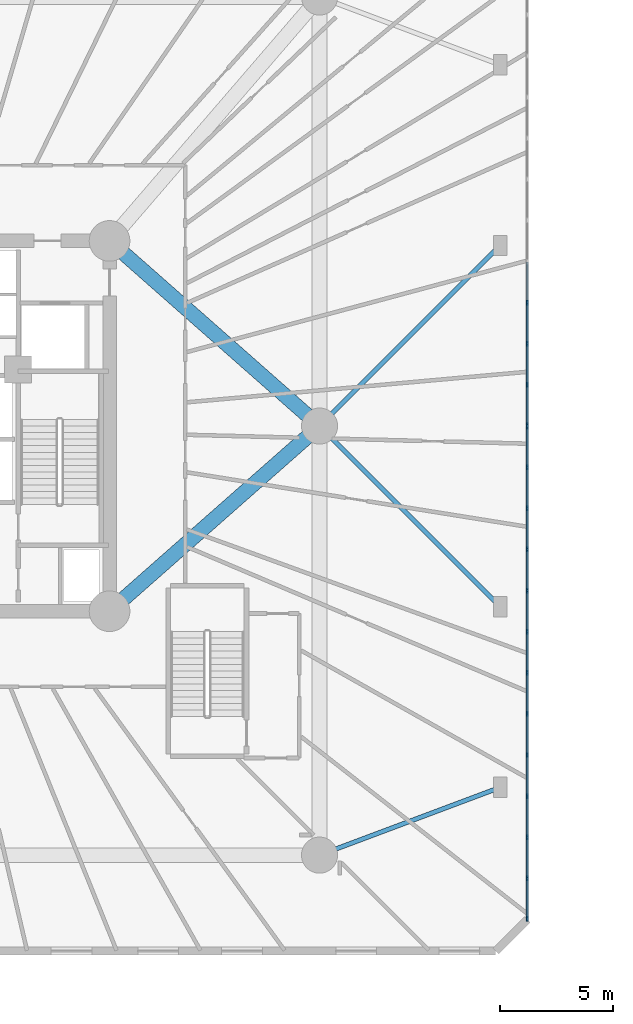
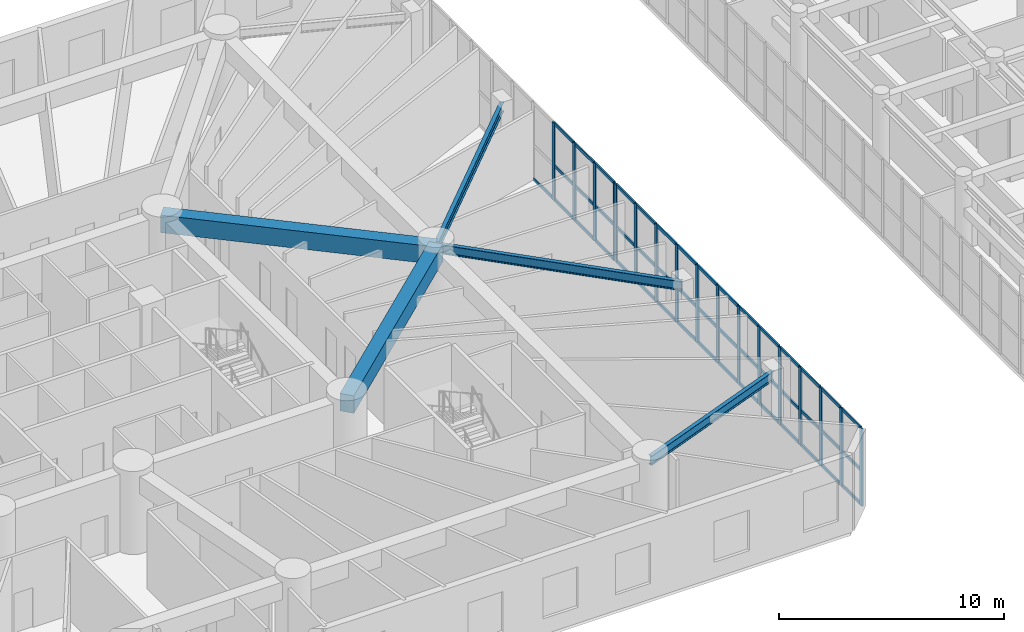
# One storey, part 2 of 26: 63 members, 5 beams, 2 elements without a shape of their own.
"""IFC4 building model written with IfcOpenShell, lengths in metres."""

import ifcopenshell
import ifcopenshell.guid

model = None  # the IFC model being written
_history = None  # IfcOwnerHistory: only IFC2X3 demands one
_inside = {}  # id of a spatial element -> (the spatial element, [elements in it])
_under = {}  # id of a project, library or spatial element -> (it, [spatial elements below it])
_declared = {}  # id of a project -> (the project, [libraries it declares])
_typed = {}  # id of a type object -> (the type object, [elements of that type])
_made_of = {}  # id of a material, layer set ... -> (it, [elements and type objects made of it])


def new_model(schema):
    """Start an empty IFC model of exactly this schema.

    Asked for "IFC4X3", IfcOpenShell would pick the latest addendum, in which some entities
    have other attributes; the version numbers below select the first issue.
    IFC2X3 requires an IfcOwnerHistory on every rooted entity: one is made here for all.
    """
    global model, _history
    if schema == "IFC4X3":
        model = ifcopenshell.file(schema_version=(4, 3, 0, 0))
    else:
        model = ifcopenshell.file(schema=schema)
    _inside.clear()
    _under.clear()
    _declared.clear()
    _typed.clear()
    _made_of.clear()
    _history = None
    if model.schema == "IFC2X3":
        org = make("IfcOrganization", Name="unknown")
        user = make(
            "IfcPersonAndOrganization",
            ThePerson=make("IfcPerson", FamilyName="unknown"),
            TheOrganization=org,
        )
        app = make(
            "IfcApplication",
            ApplicationDeveloper=org,
            Version="unknown",
            ApplicationFullName="unknown",
            ApplicationIdentifier="unknown",
        )
        _history = make(
            "IfcOwnerHistory",
            OwningUser=user,
            OwningApplication=app,
            ChangeAction="ADDED",
            CreationDate=0,
        )
    return model


def make(cls, **values):
    """One entity of the class cls with the attributes given. An attribute that is None is left unset."""
    return model.create_entity(
        cls, **{name: value for name, value in values.items() if value is not None}
    )


def rooted(cls, **values):
    """An entity with a GlobalId (a new one), such as an element, a storey or a relation."""
    return make(cls, GlobalId=ifcopenshell.guid.new(), OwnerHistory=_history, **values)


def si_unit(unit_type, name, prefix=None):
    """IfcSIUnit, for example si_unit("LENGTHUNIT", "METRE", prefix="MILLI")."""
    return make("IfcSIUnit", UnitType=unit_type, Prefix=prefix, Name=name)


def assignment(units):
    """IfcUnitAssignment: the units of a project."""
    return None if units is None else make("IfcUnitAssignment", Units=units)


def point(xyz):
    """IfcCartesianPoint."""
    return None if xyz is None else make("IfcCartesianPoint", Coordinates=xyz)


def direction(xyz):
    """IfcDirection."""
    return None if xyz is None else make("IfcDirection", DirectionRatios=xyz)


def frame(location, z_axis=None, x_axis=None):
    """IfcAxis2Placement3D, a coordinate frame: its origin and axes. An axis left out is left unset."""
    return make(
        "IfcAxis2Placement3D",
        Location=point(location),
        Axis=direction(z_axis),
        RefDirection=direction(x_axis),
    )


def frame_2d(location, x_axis=None):
    """IfcAxis2Placement2D, a coordinate frame in the plane: its origin and x axis."""
    return make(
        "IfcAxis2Placement2D", Location=point(location), RefDirection=direction(x_axis)
    )


def origin():
    """The frame at (0, 0, 0) with its axes left unset."""
    return frame((0.0, 0.0, 0.0))


def origin_with_axes():
    """The frame at (0, 0, 0) with the z axis (0, 0, 1) and the x axis (1, 0, 0) written out."""
    return frame((0.0, 0.0, 0.0), z_axis=(0.0, 0.0, 1.0), x_axis=(1.0, 0.0, 0.0))


def origin_2d():
    """The frame at (0, 0) in the plane with its x axis left unset."""
    return frame_2d((0.0, 0.0))


def place(relative_to, where):
    """IfcLocalPlacement: puts the frame where relative to a parent placement (None: the world)."""
    return make(
        "IfcLocalPlacement", PlacementRelTo=relative_to, RelativePlacement=where
    )


def context(
    kind, dimensions, precision=None, world=None, true_north=None, identifier=None
):
    """IfcGeometricRepresentationContext, for example the 3D "Model" context."""
    return make(
        "IfcGeometricRepresentationContext",
        ContextIdentifier=identifier,
        ContextType=kind,
        CoordinateSpaceDimension=dimensions,
        Precision=precision,
        WorldCoordinateSystem=world,
        TrueNorth=true_north,
    )


def subcontext(parent, identifier, kind, view, scale=None):
    """IfcGeometricRepresentationSubContext, for example "Body" below "Model"."""
    return make(
        "IfcGeometricRepresentationSubContext",
        ContextIdentifier=identifier,
        ContextType=kind,
        ParentContext=parent,
        TargetScale=scale,
        TargetView=view,
    )


def project(units=None, contexts=None):
    """IfcProject with its units and contexts."""
    return rooted(
        "IfcProject",
        Name="project",
        RepresentationContexts=contexts,
        UnitsInContext=assignment(units),
    )


def spatial(cls, under=None, at=None, **own):
    """A site, building, storey or space (cls), placed at a placement, below another one or the project."""
    s = rooted(cls, ObjectPlacement=at, **own)
    if under is not None:
        _under.setdefault(under.id(), (under, []))[1].append(s)
    return s


def profile(cls, at=None, kind="AREA", **sizes):
    """A parametric profile (cls). Its sizes go by their IFC names, for example OverallWidth=200.0."""
    return make(cls, ProfileType=kind, Position=at, **sizes)


def rectangle(**sizes):
    """IfcRectangleProfileDef."""
    return profile("IfcRectangleProfileDef", **sizes)


def i_section(**sizes):
    """IfcIShapeProfileDef."""
    return profile("IfcIShapeProfileDef", **sizes)


def extrude(swept, where, along, depth):
    """IfcExtrudedAreaSolid: the profile swept, set in the frame where, extruded along a direction by depth."""
    return make(
        "IfcExtrudedAreaSolid",
        SweptArea=swept,
        Position=where,
        ExtrudedDirection=direction(along),
        Depth=depth,
    )


def shape(context_of_items, identifier, shape_type, items):
    """IfcShapeRepresentation: the items that make up one representation, for example the "Body"."""
    return make(
        "IfcShapeRepresentation",
        ContextOfItems=context_of_items,
        RepresentationIdentifier=identifier,
        RepresentationType=shape_type,
        Items=items,
    )


def source(mapping_origin, context_of_items, identifier, shape_type, items):
    """IfcRepresentationMap: a shape defined once, which mapped items show again and again."""
    return make(
        "IfcRepresentationMap",
        MappingOrigin=mapping_origin,
        MappedRepresentation=shape(context_of_items, identifier, shape_type, items),
    )


def transform(
    local_origin,
    x_axis=None,
    y_axis=None,
    z_axis=None,
    scale=None,
    scale2=None,
    scale3=None,
    uniform=True,
):
    """IfcCartesianTransformationOperator3D, or its non-uniform kind. x_axis, y_axis, z_axis: its Axis1, 2, 3."""
    if uniform:
        return make(
            "IfcCartesianTransformationOperator3D",
            Axis1=direction(x_axis),
            Axis2=direction(y_axis),
            LocalOrigin=point(local_origin),
            Scale=scale,
            Axis3=direction(z_axis),
        )
    return make(
        "IfcCartesianTransformationOperator3DnonUniform",
        Axis1=direction(x_axis),
        Axis2=direction(y_axis),
        LocalOrigin=point(local_origin),
        Scale=scale,
        Axis3=direction(z_axis),
        Scale2=scale2,
        Scale3=scale3,
    )


def mapped(mapping_source, mapping_target):
    """IfcMappedItem: shows the shape of a source again, moved by a transform."""
    return make(
        "IfcMappedItem", MappingSource=mapping_source, MappingTarget=mapping_target
    )


def material(Name=None, Category=None):
    """IfcMaterial."""
    return make("IfcMaterial", Name=Name, Category=Category)


def layer(
    of_material, thickness, ventilated=None, Name=None, Category=None, Priority=None
):
    """IfcMaterialLayer: one layer of a wall or slab, of a material (None: an air gap)."""
    return make(
        "IfcMaterialLayer",
        Material=of_material,
        LayerThickness=thickness,
        IsVentilated=ventilated,
        Name=Name,
        Category=Category,
        Priority=Priority,
    )


def layer_set(layers, Name=None):
    """IfcMaterialLayerSet."""
    return make("IfcMaterialLayerSet", MaterialLayers=layers, LayerSetName=Name)


def material_profile(
    of_material, cross_section, Name=None, Category=None, Priority=None
):
    """IfcMaterialProfile: a cross section and its material."""
    return make(
        "IfcMaterialProfile",
        Name=Name,
        Material=of_material,
        Profile=cross_section,
        Priority=Priority,
        Category=Category,
    )


def profile_set(profiles, Name=None, composite=None):
    """IfcMaterialProfileSet."""
    return make(
        "IfcMaterialProfileSet",
        Name=Name,
        MaterialProfiles=profiles,
        CompositeProfile=composite,
    )


def made_of(thing, what):
    """Note that an element or type object is made of a material, layer set ...; save() writes the relation."""
    if what is not None:
        _made_of.setdefault(what.id(), (what, []))[1].append(thing)
    return thing


def type_object(cls, material=None, **own):
    """A type object (cls), such as IfcWallType, which elements share."""
    return made_of(rooted(cls, **own), material)


def element(
    cls,
    number,
    at=None,
    inside=None,
    cuts=None,
    type_object=None,
    material=None,
    context=None,
    identifier="Body",
    shape_type=None,
    held_by="IfcProductDefinitionShape",
    body=None,
    shapes=None,
    **own,
):
    """One element of the class cls, such as IfcWall. Its Tag is "e" and its number.

    at: its placement. inside: the storey or other place that contains it. cuts: it is an
    opening in that element (IfcRelVoidsElement). A single representation is given by context,
    identifier, shape_type and body (its items); several are given by shapes. held_by: the class
    of the entity that holds the representations. save() writes the other relations.
    """
    e = rooted(cls, Tag="e%d" % number, ObjectPlacement=at, **own)
    if body is not None:
        shapes = [shape(context, identifier, shape_type, body)]
    if shapes is not None:
        e.Representation = make(held_by, Representations=shapes)
    if inside is not None:
        _inside.setdefault(inside.id(), (inside, []))[1].append(e)
    if cuts is not None:
        rooted(
            "IfcRelVoidsElement", RelatingBuildingElement=cuts, RelatedOpeningElement=e
        )
    if type_object is not None:
        _typed.setdefault(type_object.id(), (type_object, []))[1].append(e)
    return made_of(e, material)


def aggregate(whole, parts):
    """IfcRelAggregates: a whole, such as a stair, and the parts it consists of."""
    return rooted("IfcRelAggregates", RelatingObject=whole, RelatedObjects=parts)


def save(model, path):
    """Write the relations noted so far, then the file.

    IfcRelAggregates (storeys below a building ...), IfcRelContainedInSpatialStructure (elements
    in a storey), IfcRelDefinesByType, IfcRelAssociatesMaterial and IfcRelDeclares: one each for
    every whole, place, type object, material and project.
    """
    for whole, parts in _under.values():
        aggregate(whole, parts)
    for where, things in _inside.values():
        rooted(
            "IfcRelContainedInSpatialStructure",
            RelatedElements=things,
            RelatingStructure=where,
        )
    for kind, things in _typed.values():
        rooted("IfcRelDefinesByType", RelatedObjects=things, RelatingType=kind)
    for what, things in _made_of.values():
        rooted("IfcRelAssociatesMaterial", RelatedObjects=things, RelatingMaterial=what)
    for by, libraries in _declared.values():
        rooted("IfcRelDeclares", RelatingContext=by, RelatedDefinitions=libraries)
    model.write(path)


model = new_model("IFC4")

# Units and contexts
model_context = context("Model", 3, precision=1e-05, world=origin(), true_north=direction((0.0, 1.0)))
body_context = subcontext(model_context, "Body", "Model", "MODEL_VIEW")
ifc_project = project(units=[si_unit("LENGTHUNIT", "METRE"), si_unit("AREAUNIT", "SQUARE_METRE"), si_unit("VOLUMEUNIT", "CUBIC_METRE"), si_unit("PLANEANGLEUNIT", "RADIAN"), si_unit("MASSUNIT", "GRAM", prefix="KILO")], contexts=[model_context])

# Site, building, storey
site_placement = place(None, origin())
site = spatial("IfcSite", under=ifc_project, at=site_placement, CompositionType="ELEMENT")
building_placement = place(site_placement, origin())
building = spatial("IfcBuilding", under=site, at=building_placement, Name="Karkom Vertical University and Central Library", CompositionType="ELEMENT")
storey_placement = place(building_placement, frame((0.0, 0.0, 9.0)))
storey = spatial("IfcBuildingStorey", under=building, at=storey_placement, Name="L02", CompositionType="ELEMENT", Elevation=9.0)

# Beams
ifc_material_1 = material(Name="Concrete C50/60", Category="concrete")
ifc_material_profile_1 = material_profile(ifc_material_1, rectangle(XDim=0.64990234375, YDim=0.949951171875, at=origin_2d()), Name="RCG-650x950")
ifc_profile_set_1 = profile_set([ifc_material_profile_1], Name="Concrete C50/60")
beam_type_1 = type_object("IfcBeamType", Name="STR-BM-BG-1", PredefinedType="USERDEFINED", material=ifc_profile_set_1)
shared_shape_1 = source(origin_with_axes(), body_context, "Body", "SweptSolid", [
    extrude(rectangle(XDim=0.64990234375, YDim=0.949951171875, at=origin_2d()), origin(), (0.0, 0.0, 1.0), 12.398681640625),
])
for number, where, z_axis, x_axis, name in (
    (1, (46.800048828125, 26.5, 3.72509765625), (-0.75007685274, -0.661350674743, 0.0), (0.661350674743, -0.75007685274, 0.0), "Level 02 Podium Primary Girder 17"),
    (2, (46.800048828125, 26.5, 3.72509765625), (-0.75007685274, 0.661350674743, 0.0), (-0.661350674743, -0.75007685274, 0.0), "Level 02 Podium Primary Girder 18"),
):
    element("IfcBeam", number, at=place(storey_placement, frame(where, z_axis=z_axis, x_axis=x_axis)), inside=storey, type_object=beam_type_1, Name=name, ObjectType="GIRDER", PredefinedType="USERDEFINED", context=body_context, shape_type="MappedRepresentation", body=[
        mapped(shared_shape_1, transform((0.0, 0.0, 0.0), scale=1.0)),
    ])
ifc_material_2 = material(Name="Steel S355", Category="steel")
ifc_material_profile_2 = material_profile(ifc_material_2, i_section(OverallWidth=0.199951171875, OverallDepth=0.5, WebThickness=0.01025390625, FlangeThickness=0.01611328125, FilletRadius=0.02099609375, at=origin_2d()), Name="IPE 500")
ifc_profile_set_2 = profile_set([ifc_material_profile_2], Name="Steel S355")
beam_type_2 = type_object("IfcBeamType", Name="STR-BM-SB-IPE500", PredefinedType="BEAM", material=ifc_profile_set_2)
shared_shape_2 = source(origin_with_axes(), body_context, "Body", "SweptSolid", [
    extrude(i_section(OverallWidth=0.199951171875, OverallDepth=0.5, WebThickness=0.01025390625, FlangeThickness=0.01611328125, FilletRadius=0.02099609375, at=origin_2d()), origin(), (0.0, 0.0, 1.0), 8.5439453125),
])
beam_placement = place(storey_placement, frame((46.800048828125, 7.5, 3.949951171875), z_axis=(0.936329177569, 0.351123441588, 0.0), x_axis=(-0.351123441588, 0.936329177569, 0.0)))
element("IfcBeam", 3, at=beam_placement, inside=storey, type_object=beam_type_2, Name="Level 02 Arcade Tie Beam 1", PredefinedType="BEAM", context=body_context, shape_type="MappedRepresentation", body=[
    mapped(shared_shape_2, transform((0.0, 0.0, 0.0), scale=1.0)),
])
shared_shape_3 = source(origin_with_axes(), body_context, "Body", "SweptSolid", [
    extrude(i_section(OverallWidth=0.199951171875, OverallDepth=0.5, WebThickness=0.01025390625, FlangeThickness=0.01611328125, FilletRadius=0.02099609375, at=origin_2d()), origin(), (0.0, 0.0, 1.0), 11.313720703125),
])
for number, where, z_axis, x_axis, name in (
    (4, (46.800048828125, 26.5, 3.949951171875), (0.707106781187, -0.707106781187, 0.0), (0.707106781187, 0.707106781187, 0.0), "Level 02 Arcade Tie Beam 2"),
    (5, (46.800048828125, 26.5, 3.949951171875), (0.707106781187, 0.707106781187, 0.0), (-0.707106781187, 0.707106781187, 0.0), "Level 02 Arcade Tie Beam 3"),
):
    element("IfcBeam", number, at=place(storey_placement, frame(where, z_axis=z_axis, x_axis=x_axis)), inside=storey, type_object=beam_type_2, Name=name, PredefinedType="BEAM", context=body_context, shape_type="MappedRepresentation", body=[
        mapped(shared_shape_3, transform((0.0, 0.0, 0.0), scale=1.0)),
    ])

# Curtain wall, members
ifc_material_3 = material(Name="Aluminium curtain-wall framing and low-E IGU", Category="aluminium")
ifc_layer = layer(ifc_material_3, 0.199951171875)
ifc_layer_set = layer_set([ifc_layer], Name="Aluminium curtain-wall framing and low-E IGU")
curtain_wall_type = type_object("IfcCurtainWallType", Name="ENV-CW-3", PredefinedType="USERDEFINED", material=ifc_layer_set)
curtain_wall_1_placement = place(storey_placement, origin())
curtain_wall_1 = element("IfcCurtainWall", 6, at=curtain_wall_1_placement, inside=storey, type_object=curtain_wall_type, Name="Level 02 CW-3 Curtain Wall Level 02-CW3-3-1", ObjectType="STICK MULLION GLAZING", PredefinedType="USERDEFINED")
ifc_material_4 = material(Name="Anodised Aluminium 6063-T6", Category="aluminium")
ifc_material_profile_3 = material_profile(ifc_material_4, rectangle(XDim=0.074951171875, YDim=0.219970703125, at=origin_2d()), Name="ALU-M75x220")
ifc_profile_set_3 = profile_set([ifc_material_profile_3], Name="Anodised Aluminium 6063-T6")
member_type_1 = type_object("IfcMemberType", Name="ENV-MEM-ALU-M75x220", PredefinedType="MULLION", material=ifc_profile_set_3)
shared_shape_4 = source(origin_with_axes(), body_context, "Body", "SweptSolid", [
    extrude(rectangle(XDim=0.074951171875, YDim=0.219970703125, at=origin_2d()), origin(), (0.0, 0.0, 1.0), 4.199951171875),
])
member_1_placement = place(storey_placement, frame((56.0, 4.6875, 0.0), z_axis=(0.0, 0.0, 1.0), x_axis=(-1.0, 0.0, 0.0)))
member_1 = element("IfcMember", 7, at=member_1_placement, type_object=member_type_1, Name="CW-3 mullion 1", PredefinedType="MULLION", context=body_context, shape_type="MappedRepresentation", body=[
    mapped(shared_shape_4, transform((0.0, 0.0, 0.0), scale=1.0)),
])
member_2_placement = place(storey_placement, frame((56.0, 6.470947265625, 0.0), z_axis=(0.0, 0.0, 1.0), x_axis=(-1.0, 0.0, 0.0)))
member_2 = element("IfcMember", 8, at=member_2_placement, type_object=member_type_1, Name="CW-3 mullion 2", PredefinedType="MULLION", context=body_context, shape_type="MappedRepresentation", body=[
    mapped(shared_shape_4, transform((0.0, 0.0, 0.0), scale=1.0)),
])
member_3_placement = place(storey_placement, frame((56.0, 8.291748046875, 0.0), z_axis=(0.0, 0.0, 1.0), x_axis=(-1.0, 0.0, 0.0)))
member_3 = element("IfcMember", 9, at=member_3_placement, type_object=member_type_1, Name="CW-3 mullion 3", PredefinedType="MULLION", context=body_context, shape_type="MappedRepresentation", body=[
    mapped(shared_shape_4, transform((0.0, 0.0, 0.0), scale=1.0)),
])
member_4_placement = place(storey_placement, frame((56.0, 10.112548828125, 0.0), z_axis=(0.0, 0.0, 1.0), x_axis=(-1.0, 0.0, 0.0)))
member_4 = element("IfcMember", 10, at=member_4_placement, type_object=member_type_1, Name="CW-3 mullion 4", PredefinedType="MULLION", context=body_context, shape_type="MappedRepresentation", body=[
    mapped(shared_shape_4, transform((0.0, 0.0, 0.0), scale=1.0)),
])
member_5_placement = place(storey_placement, frame((56.0, 11.933349609375, 0.0), z_axis=(0.0, 0.0, 1.0), x_axis=(-1.0, 0.0, 0.0)))
member_5 = element("IfcMember", 11, at=member_5_placement, type_object=member_type_1, Name="CW-3 mullion 5", PredefinedType="MULLION", context=body_context, shape_type="MappedRepresentation", body=[
    mapped(shared_shape_4, transform((0.0, 0.0, 0.0), scale=1.0)),
])
member_6_placement = place(storey_placement, frame((56.0, 13.754150390625, 0.0), z_axis=(0.0, 0.0, 1.0), x_axis=(-1.0, 0.0, 0.0)))
member_6 = element("IfcMember", 12, at=member_6_placement, type_object=member_type_1, Name="CW-3 mullion 6", PredefinedType="MULLION", context=body_context, shape_type="MappedRepresentation", body=[
    mapped(shared_shape_4, transform((0.0, 0.0, 0.0), scale=1.0)),
])
member_7_placement = place(storey_placement, frame((56.0, 15.574951171875, 0.0), z_axis=(0.0, 0.0, 1.0), x_axis=(-1.0, 0.0, 0.0)))
member_7 = element("IfcMember", 13, at=member_7_placement, type_object=member_type_1, Name="CW-3 mullion 7", PredefinedType="MULLION", context=body_context, shape_type="MappedRepresentation", body=[
    mapped(shared_shape_4, transform((0.0, 0.0, 0.0), scale=1.0)),
])
member_8_placement = place(storey_placement, frame((56.0, 17.395751953125, 0.0), z_axis=(0.0, 0.0, 1.0), x_axis=(-1.0, 0.0, 0.0)))
member_8 = element("IfcMember", 14, at=member_8_placement, type_object=member_type_1, Name="CW-3 mullion 8", PredefinedType="MULLION", context=body_context, shape_type="MappedRepresentation", body=[
    mapped(shared_shape_4, transform((0.0, 0.0, 0.0), scale=1.0)),
])
member_9_placement = place(storey_placement, frame((56.0, 19.216552734375, 0.0), z_axis=(0.0, 0.0, 1.0), x_axis=(-1.0, 0.0, 0.0)))
member_9 = element("IfcMember", 15, at=member_9_placement, type_object=member_type_1, Name="CW-3 mullion 9", PredefinedType="MULLION", context=body_context, shape_type="MappedRepresentation", body=[
    mapped(shared_shape_4, transform((0.0, 0.0, 0.0), scale=1.0)),
])
member_10_placement = place(storey_placement, frame((56.0, 21.03759765625, 0.0), z_axis=(0.0, 0.0, 1.0), x_axis=(-1.0, 0.0, 0.0)))
member_10 = element("IfcMember", 16, at=member_10_placement, type_object=member_type_1, Name="CW-3 mullion 10", PredefinedType="MULLION", context=body_context, shape_type="MappedRepresentation", body=[
    mapped(shared_shape_4, transform((0.0, 0.0, 0.0), scale=1.0)),
])
member_11_placement = place(storey_placement, frame((56.0, 22.8583984375, 0.0), z_axis=(0.0, 0.0, 1.0), x_axis=(-1.0, 0.0, 0.0)))
member_11 = element("IfcMember", 17, at=member_11_placement, type_object=member_type_1, Name="CW-3 mullion 11", PredefinedType="MULLION", context=body_context, shape_type="MappedRepresentation", body=[
    mapped(shared_shape_4, transform((0.0, 0.0, 0.0), scale=1.0)),
])
member_12_placement = place(storey_placement, frame((56.0, 24.67919921875, 0.0), z_axis=(0.0, 0.0, 1.0), x_axis=(-1.0, 0.0, 0.0)))
member_12 = element("IfcMember", 18, at=member_12_placement, type_object=member_type_1, Name="CW-3 mullion 12", PredefinedType="MULLION", context=body_context, shape_type="MappedRepresentation", body=[
    mapped(shared_shape_4, transform((0.0, 0.0, 0.0), scale=1.0)),
])
member_13_placement = place(storey_placement, frame((56.0, 26.46240234375, 0.0), z_axis=(0.0, 0.0, 1.0), x_axis=(-1.0, 0.0, 0.0)))
member_13 = element("IfcMember", 19, at=member_13_placement, type_object=member_type_1, Name="CW-3 mullion 13", PredefinedType="MULLION", context=body_context, shape_type="MappedRepresentation", body=[
    mapped(shared_shape_4, transform((0.0, 0.0, 0.0), scale=1.0)),
])

curtain_wall_2_placement = place(storey_placement, origin())
curtain_wall_2 = element("IfcCurtainWall", 20, at=curtain_wall_2_placement, inside=storey, type_object=curtain_wall_type, Name="Level 02 CW-3 Curtain Wall Level 02-CW3-3-2", ObjectType="STICK MULLION GLAZING", PredefinedType="USERDEFINED")
member_14_placement = place(storey_placement, frame((56.0, 26.53759765625, 0.0), z_axis=(0.0, 0.0, 1.0), x_axis=(-1.0, 0.0, 0.0)))
member_14 = element("IfcMember", 21, at=member_14_placement, type_object=member_type_1, Name="CW-3 mullion 1", PredefinedType="MULLION", context=body_context, shape_type="MappedRepresentation", body=[
    mapped(shared_shape_4, transform((0.0, 0.0, 0.0), scale=1.0)),
])
member_15_placement = place(storey_placement, frame((56.0, 28.32080078125, 0.0), z_axis=(0.0, 0.0, 1.0), x_axis=(-1.0, 0.0, 0.0)))
member_15 = element("IfcMember", 22, at=member_15_placement, type_object=member_type_1, Name="CW-3 mullion 2", PredefinedType="MULLION", context=body_context, shape_type="MappedRepresentation", body=[
    mapped(shared_shape_4, transform((0.0, 0.0, 0.0), scale=1.0)),
])
member_16_placement = place(storey_placement, frame((56.0, 30.1416015625, 0.0), z_axis=(0.0, 0.0, 1.0), x_axis=(-1.0, 0.0, 0.0)))
member_16 = element("IfcMember", 23, at=member_16_placement, type_object=member_type_1, Name="CW-3 mullion 3", PredefinedType="MULLION", context=body_context, shape_type="MappedRepresentation", body=[
    mapped(shared_shape_4, transform((0.0, 0.0, 0.0), scale=1.0)),
])
member_17_placement = place(storey_placement, frame((56.0, 31.96240234375, 0.0), z_axis=(0.0, 0.0, 1.0), x_axis=(-1.0, 0.0, 0.0)))
member_17 = element("IfcMember", 24, at=member_17_placement, type_object=member_type_1, Name="CW-3 mullion 4", PredefinedType="MULLION", context=body_context, shape_type="MappedRepresentation", body=[
    mapped(shared_shape_4, transform((0.0, 0.0, 0.0), scale=1.0)),
])

# Member
ifc_material_profile_4 = material_profile(ifc_material_4, rectangle(XDim=0.074951171875, YDim=0.1650390625, at=origin_2d()), Name="ALU-T75x165")
ifc_profile_set_4 = profile_set([ifc_material_profile_4], Name="Anodised Aluminium 6063-T6")
member_type_2 = type_object("IfcMemberType", Name="ENV-MEM-ALU-T75x165", PredefinedType="USERDEFINED", material=ifc_profile_set_4)
shared_shape_5 = source(origin_with_axes(), body_context, "Body", "SweptSolid", [
    extrude(rectangle(XDim=0.074951171875, YDim=0.1650390625, at=origin_2d()), origin(), (0.0, 0.0, 1.0), 1.708251953125),
])
member_18_placement = place(storey_placement, frame((56.0, 4.72509765625, 0.03759765625), z_axis=(0.0, 1.0, 0.0), x_axis=(-1.0, 0.0, 0.0)))
member_18 = element("IfcMember", 25, at=member_18_placement, type_object=member_type_2, Name="CW-3 transom 1.1", ObjectType="TRANSOM", PredefinedType="USERDEFINED", context=body_context, shape_type="MappedRepresentation", body=[
    mapped(shared_shape_5, transform((0.0, 0.0, 0.0), scale=1.0)),
])

member_19_placement = place(storey_placement, frame((56.0, 4.72509765625, 1.889892578125), z_axis=(0.0, 1.0, 0.0), x_axis=(-1.0, 0.0, 0.0)))
member_19 = element("IfcMember", 26, at=member_19_placement, type_object=member_type_2, Name="CW-3 transom 1.2", ObjectType="TRANSOM", PredefinedType="USERDEFINED", context=body_context, shape_type="MappedRepresentation", body=[
    mapped(shared_shape_5, transform((0.0, 0.0, 0.0), scale=1.0)),
])

member_20_placement = place(storey_placement, frame((56.0, 4.72509765625, 4.16259765625), z_axis=(0.0, 1.0, 0.0), x_axis=(-1.0, 0.0, 0.0)))
member_20 = element("IfcMember", 27, at=member_20_placement, type_object=member_type_2, Name="CW-3 transom 1.3", ObjectType="TRANSOM", PredefinedType="USERDEFINED", context=body_context, shape_type="MappedRepresentation", body=[
    mapped(shared_shape_5, transform((0.0, 0.0, 0.0), scale=1.0)),
])

shared_shape_6 = source(origin_with_axes(), body_context, "Body", "SweptSolid", [
    extrude(rectangle(XDim=0.074951171875, YDim=0.1650390625, at=origin_2d()), origin(), (0.0, 0.0, 1.0), 1.745849609375),
])
member_21_placement = place(storey_placement, frame((56.0, 6.50830078125, 0.03759765625), z_axis=(0.0, 1.0, 0.0), x_axis=(-1.0, 0.0, 0.0)))
member_21 = element("IfcMember", 28, at=member_21_placement, type_object=member_type_2, Name="CW-3 transom 2.1", ObjectType="TRANSOM", PredefinedType="USERDEFINED", context=body_context, shape_type="MappedRepresentation", body=[
    mapped(shared_shape_6, transform((0.0, 0.0, 0.0), scale=1.0)),
])

member_22_placement = place(storey_placement, frame((56.0, 6.50830078125, 1.889892578125), z_axis=(0.0, 1.0, 0.0), x_axis=(-1.0, 0.0, 0.0)))
member_22 = element("IfcMember", 29, at=member_22_placement, type_object=member_type_2, Name="CW-3 transom 2.2", ObjectType="TRANSOM", PredefinedType="USERDEFINED", context=body_context, shape_type="MappedRepresentation", body=[
    mapped(shared_shape_6, transform((0.0, 0.0, 0.0), scale=1.0)),
])

member_23_placement = place(storey_placement, frame((56.0, 6.50830078125, 4.16259765625), z_axis=(0.0, 1.0, 0.0), x_axis=(-1.0, 0.0, 0.0)))
member_23 = element("IfcMember", 30, at=member_23_placement, type_object=member_type_2, Name="CW-3 transom 2.3", ObjectType="TRANSOM", PredefinedType="USERDEFINED", context=body_context, shape_type="MappedRepresentation", body=[
    mapped(shared_shape_6, transform((0.0, 0.0, 0.0), scale=1.0)),
])

member_24_placement = place(storey_placement, frame((56.0, 8.3291015625, 0.03759765625), z_axis=(0.0, 1.0, 0.0), x_axis=(-1.0, 0.0, 0.0)))
member_24 = element("IfcMember", 31, at=member_24_placement, type_object=member_type_2, Name="CW-3 transom 3.1", ObjectType="TRANSOM", PredefinedType="USERDEFINED", context=body_context, shape_type="MappedRepresentation", body=[
    mapped(shared_shape_6, transform((0.0, 0.0, 0.0), scale=1.0)),
])

member_25_placement = place(storey_placement, frame((56.0, 8.3291015625, 1.889892578125), z_axis=(0.0, 1.0, 0.0), x_axis=(-1.0, 0.0, 0.0)))
member_25 = element("IfcMember", 32, at=member_25_placement, type_object=member_type_2, Name="CW-3 transom 3.2", ObjectType="TRANSOM", PredefinedType="USERDEFINED", context=body_context, shape_type="MappedRepresentation", body=[
    mapped(shared_shape_6, transform((0.0, 0.0, 0.0), scale=1.0)),
])

member_26_placement = place(storey_placement, frame((56.0, 8.3291015625, 4.16259765625), z_axis=(0.0, 1.0, 0.0), x_axis=(-1.0, 0.0, 0.0)))
member_26 = element("IfcMember", 33, at=member_26_placement, type_object=member_type_2, Name="CW-3 transom 3.3", ObjectType="TRANSOM", PredefinedType="USERDEFINED", context=body_context, shape_type="MappedRepresentation", body=[
    mapped(shared_shape_6, transform((0.0, 0.0, 0.0), scale=1.0)),
])

member_27_placement = place(storey_placement, frame((56.0, 10.14990234375, 0.03759765625), z_axis=(0.0, 1.0, 0.0), x_axis=(-1.0, 0.0, 0.0)))
member_27 = element("IfcMember", 34, at=member_27_placement, type_object=member_type_2, Name="CW-3 transom 4.1", ObjectType="TRANSOM", PredefinedType="USERDEFINED", context=body_context, shape_type="MappedRepresentation", body=[
    mapped(shared_shape_6, transform((0.0, 0.0, 0.0), scale=1.0)),
])

member_28_placement = place(storey_placement, frame((56.0, 10.14990234375, 1.889892578125), z_axis=(0.0, 1.0, 0.0), x_axis=(-1.0, 0.0, 0.0)))
member_28 = element("IfcMember", 35, at=member_28_placement, type_object=member_type_2, Name="CW-3 transom 4.2", ObjectType="TRANSOM", PredefinedType="USERDEFINED", context=body_context, shape_type="MappedRepresentation", body=[
    mapped(shared_shape_6, transform((0.0, 0.0, 0.0), scale=1.0)),
])

member_29_placement = place(storey_placement, frame((56.0, 10.14990234375, 4.16259765625), z_axis=(0.0, 1.0, 0.0), x_axis=(-1.0, 0.0, 0.0)))
member_29 = element("IfcMember", 36, at=member_29_placement, type_object=member_type_2, Name="CW-3 transom 4.3", ObjectType="TRANSOM", PredefinedType="USERDEFINED", context=body_context, shape_type="MappedRepresentation", body=[
    mapped(shared_shape_6, transform((0.0, 0.0, 0.0), scale=1.0)),
])

member_30_placement = place(storey_placement, frame((56.0, 13.791748046875, 0.03759765625), z_axis=(0.0, 1.0, 0.0), x_axis=(-1.0, 0.0, 0.0)))
member_30 = element("IfcMember", 37, at=member_30_placement, type_object=member_type_2, Name="CW-3 transom 6.1", ObjectType="TRANSOM", PredefinedType="USERDEFINED", context=body_context, shape_type="MappedRepresentation", body=[
    mapped(shared_shape_6, transform((0.0, 0.0, 0.0), scale=1.0)),
])

member_31_placement = place(storey_placement, frame((56.0, 13.791748046875, 1.889892578125), z_axis=(0.0, 1.0, 0.0), x_axis=(-1.0, 0.0, 0.0)))
member_31 = element("IfcMember", 38, at=member_31_placement, type_object=member_type_2, Name="CW-3 transom 6.2", ObjectType="TRANSOM", PredefinedType="USERDEFINED", context=body_context, shape_type="MappedRepresentation", body=[
    mapped(shared_shape_6, transform((0.0, 0.0, 0.0), scale=1.0)),
])

member_32_placement = place(storey_placement, frame((56.0, 13.791748046875, 4.16259765625), z_axis=(0.0, 1.0, 0.0), x_axis=(-1.0, 0.0, 0.0)))
member_32 = element("IfcMember", 39, at=member_32_placement, type_object=member_type_2, Name="CW-3 transom 6.3", ObjectType="TRANSOM", PredefinedType="USERDEFINED", context=body_context, shape_type="MappedRepresentation", body=[
    mapped(shared_shape_6, transform((0.0, 0.0, 0.0), scale=1.0)),
])

member_33_placement = place(storey_placement, frame((56.0, 15.612548828125, 0.03759765625), z_axis=(0.0, 1.0, 0.0), x_axis=(-1.0, 0.0, 0.0)))
member_33 = element("IfcMember", 40, at=member_33_placement, type_object=member_type_2, Name="CW-3 transom 7.1", ObjectType="TRANSOM", PredefinedType="USERDEFINED", context=body_context, shape_type="MappedRepresentation", body=[
    mapped(shared_shape_6, transform((0.0, 0.0, 0.0), scale=1.0)),
])

member_34_placement = place(storey_placement, frame((56.0, 15.612548828125, 1.889892578125), z_axis=(0.0, 1.0, 0.0), x_axis=(-1.0, 0.0, 0.0)))
member_34 = element("IfcMember", 41, at=member_34_placement, type_object=member_type_2, Name="CW-3 transom 7.2", ObjectType="TRANSOM", PredefinedType="USERDEFINED", context=body_context, shape_type="MappedRepresentation", body=[
    mapped(shared_shape_6, transform((0.0, 0.0, 0.0), scale=1.0)),
])

member_35_placement = place(storey_placement, frame((56.0, 15.612548828125, 4.16259765625), z_axis=(0.0, 1.0, 0.0), x_axis=(-1.0, 0.0, 0.0)))
member_35 = element("IfcMember", 42, at=member_35_placement, type_object=member_type_2, Name="CW-3 transom 7.3", ObjectType="TRANSOM", PredefinedType="USERDEFINED", context=body_context, shape_type="MappedRepresentation", body=[
    mapped(shared_shape_6, transform((0.0, 0.0, 0.0), scale=1.0)),
])

member_36_placement = place(storey_placement, frame((56.0, 17.433349609375, 0.03759765625), z_axis=(0.0, 1.0, 0.0), x_axis=(-1.0, 0.0, 0.0)))
member_36 = element("IfcMember", 43, at=member_36_placement, type_object=member_type_2, Name="CW-3 transom 8.1", ObjectType="TRANSOM", PredefinedType="USERDEFINED", context=body_context, shape_type="MappedRepresentation", body=[
    mapped(shared_shape_6, transform((0.0, 0.0, 0.0), scale=1.0)),
])

member_37_placement = place(storey_placement, frame((56.0, 17.433349609375, 1.889892578125), z_axis=(0.0, 1.0, 0.0), x_axis=(-1.0, 0.0, 0.0)))
member_37 = element("IfcMember", 44, at=member_37_placement, type_object=member_type_2, Name="CW-3 transom 8.2", ObjectType="TRANSOM", PredefinedType="USERDEFINED", context=body_context, shape_type="MappedRepresentation", body=[
    mapped(shared_shape_6, transform((0.0, 0.0, 0.0), scale=1.0)),
])

member_38_placement = place(storey_placement, frame((56.0, 17.433349609375, 4.16259765625), z_axis=(0.0, 1.0, 0.0), x_axis=(-1.0, 0.0, 0.0)))
member_38 = element("IfcMember", 45, at=member_38_placement, type_object=member_type_2, Name="CW-3 transom 8.3", ObjectType="TRANSOM", PredefinedType="USERDEFINED", context=body_context, shape_type="MappedRepresentation", body=[
    mapped(shared_shape_6, transform((0.0, 0.0, 0.0), scale=1.0)),
])

member_39_placement = place(storey_placement, frame((56.0, 19.254150390625, 0.03759765625), z_axis=(0.0, 1.0, 0.0), x_axis=(-1.0, 0.0, 0.0)))
member_39 = element("IfcMember", 46, at=member_39_placement, type_object=member_type_2, Name="CW-3 transom 9.1", ObjectType="TRANSOM", PredefinedType="USERDEFINED", context=body_context, shape_type="MappedRepresentation", body=[
    mapped(shared_shape_6, transform((0.0, 0.0, 0.0), scale=1.0)),
])

member_40_placement = place(storey_placement, frame((56.0, 19.254150390625, 1.889892578125), z_axis=(0.0, 1.0, 0.0), x_axis=(-1.0, 0.0, 0.0)))
member_40 = element("IfcMember", 47, at=member_40_placement, type_object=member_type_2, Name="CW-3 transom 9.2", ObjectType="TRANSOM", PredefinedType="USERDEFINED", context=body_context, shape_type="MappedRepresentation", body=[
    mapped(shared_shape_6, transform((0.0, 0.0, 0.0), scale=1.0)),
])

member_41_placement = place(storey_placement, frame((56.0, 19.254150390625, 4.16259765625), z_axis=(0.0, 1.0, 0.0), x_axis=(-1.0, 0.0, 0.0)))
member_41 = element("IfcMember", 48, at=member_41_placement, type_object=member_type_2, Name="CW-3 transom 9.3", ObjectType="TRANSOM", PredefinedType="USERDEFINED", context=body_context, shape_type="MappedRepresentation", body=[
    mapped(shared_shape_6, transform((0.0, 0.0, 0.0), scale=1.0)),
])

member_42_placement = place(storey_placement, frame((56.0, 21.074951171875, 0.03759765625), z_axis=(0.0, 1.0, 0.0), x_axis=(-1.0, 0.0, 0.0)))
member_42 = element("IfcMember", 49, at=member_42_placement, type_object=member_type_2, Name="CW-3 transom 10.1", ObjectType="TRANSOM", PredefinedType="USERDEFINED", context=body_context, shape_type="MappedRepresentation", body=[
    mapped(shared_shape_6, transform((0.0, 0.0, 0.0), scale=1.0)),
])

member_43_placement = place(storey_placement, frame((56.0, 21.074951171875, 1.889892578125), z_axis=(0.0, 1.0, 0.0), x_axis=(-1.0, 0.0, 0.0)))
member_43 = element("IfcMember", 50, at=member_43_placement, type_object=member_type_2, Name="CW-3 transom 10.2", ObjectType="TRANSOM", PredefinedType="USERDEFINED", context=body_context, shape_type="MappedRepresentation", body=[
    mapped(shared_shape_6, transform((0.0, 0.0, 0.0), scale=1.0)),
])

member_44_placement = place(storey_placement, frame((56.0, 21.074951171875, 4.16259765625), z_axis=(0.0, 1.0, 0.0), x_axis=(-1.0, 0.0, 0.0)))
member_44 = element("IfcMember", 51, at=member_44_placement, type_object=member_type_2, Name="CW-3 transom 10.3", ObjectType="TRANSOM", PredefinedType="USERDEFINED", context=body_context, shape_type="MappedRepresentation", body=[
    mapped(shared_shape_6, transform((0.0, 0.0, 0.0), scale=1.0)),
])

member_45_placement = place(storey_placement, frame((56.0, 22.895751953125, 0.03759765625), z_axis=(0.0, 1.0, 0.0), x_axis=(-1.0, 0.0, 0.0)))
member_45 = element("IfcMember", 52, at=member_45_placement, type_object=member_type_2, Name="CW-3 transom 11.1", ObjectType="TRANSOM", PredefinedType="USERDEFINED", context=body_context, shape_type="MappedRepresentation", body=[
    mapped(shared_shape_6, transform((0.0, 0.0, 0.0), scale=1.0)),
])

member_46_placement = place(storey_placement, frame((56.0, 22.895751953125, 1.889892578125), z_axis=(0.0, 1.0, 0.0), x_axis=(-1.0, 0.0, 0.0)))
member_46 = element("IfcMember", 53, at=member_46_placement, type_object=member_type_2, Name="CW-3 transom 11.2", ObjectType="TRANSOM", PredefinedType="USERDEFINED", context=body_context, shape_type="MappedRepresentation", body=[
    mapped(shared_shape_6, transform((0.0, 0.0, 0.0), scale=1.0)),
])

member_47_placement = place(storey_placement, frame((56.0, 22.895751953125, 4.16259765625), z_axis=(0.0, 1.0, 0.0), x_axis=(-1.0, 0.0, 0.0)))
member_47 = element("IfcMember", 54, at=member_47_placement, type_object=member_type_2, Name="CW-3 transom 11.3", ObjectType="TRANSOM", PredefinedType="USERDEFINED", context=body_context, shape_type="MappedRepresentation", body=[
    mapped(shared_shape_6, transform((0.0, 0.0, 0.0), scale=1.0)),
])

member_48_placement = place(storey_placement, frame((56.0, 28.3583984375, 0.03759765625), z_axis=(0.0, 1.0, 0.0), x_axis=(-1.0, 0.0, 0.0)))
member_48 = element("IfcMember", 55, at=member_48_placement, type_object=member_type_2, Name="CW-3 transom 2.1", ObjectType="TRANSOM", PredefinedType="USERDEFINED", context=body_context, shape_type="MappedRepresentation", body=[
    mapped(shared_shape_6, transform((0.0, 0.0, 0.0), scale=1.0)),
])

member_49_placement = place(storey_placement, frame((56.0, 28.3583984375, 1.889892578125), z_axis=(0.0, 1.0, 0.0), x_axis=(-1.0, 0.0, 0.0)))
member_49 = element("IfcMember", 56, at=member_49_placement, type_object=member_type_2, Name="CW-3 transom 2.2", ObjectType="TRANSOM", PredefinedType="USERDEFINED", context=body_context, shape_type="MappedRepresentation", body=[
    mapped(shared_shape_6, transform((0.0, 0.0, 0.0), scale=1.0)),
])

member_50_placement = place(storey_placement, frame((56.0, 28.3583984375, 4.16259765625), z_axis=(0.0, 1.0, 0.0), x_axis=(-1.0, 0.0, 0.0)))
member_50 = element("IfcMember", 57, at=member_50_placement, type_object=member_type_2, Name="CW-3 transom 2.3", ObjectType="TRANSOM", PredefinedType="USERDEFINED", context=body_context, shape_type="MappedRepresentation", body=[
    mapped(shared_shape_6, transform((0.0, 0.0, 0.0), scale=1.0)),
])

member_51_placement = place(storey_placement, frame((56.0, 30.17919921875, 0.03759765625), z_axis=(0.0, 1.0, 0.0), x_axis=(-1.0, 0.0, 0.0)))
member_51 = element("IfcMember", 58, at=member_51_placement, type_object=member_type_2, Name="CW-3 transom 3.1", ObjectType="TRANSOM", PredefinedType="USERDEFINED", context=body_context, shape_type="MappedRepresentation", body=[
    mapped(shared_shape_6, transform((0.0, 0.0, 0.0), scale=1.0)),
])

member_52_placement = place(storey_placement, frame((56.0, 30.17919921875, 1.889892578125), z_axis=(0.0, 1.0, 0.0), x_axis=(-1.0, 0.0, 0.0)))
member_52 = element("IfcMember", 59, at=member_52_placement, type_object=member_type_2, Name="CW-3 transom 3.2", ObjectType="TRANSOM", PredefinedType="USERDEFINED", context=body_context, shape_type="MappedRepresentation", body=[
    mapped(shared_shape_6, transform((0.0, 0.0, 0.0), scale=1.0)),
])

member_53_placement = place(storey_placement, frame((56.0, 30.17919921875, 4.16259765625), z_axis=(0.0, 1.0, 0.0), x_axis=(-1.0, 0.0, 0.0)))
member_53 = element("IfcMember", 60, at=member_53_placement, type_object=member_type_2, Name="CW-3 transom 3.3", ObjectType="TRANSOM", PredefinedType="USERDEFINED", context=body_context, shape_type="MappedRepresentation", body=[
    mapped(shared_shape_6, transform((0.0, 0.0, 0.0), scale=1.0)),
])

member_54_placement = place(storey_placement, frame((56.0, 32.0, 0.03759765625), z_axis=(0.0, 1.0, 0.0), x_axis=(-1.0, 0.0, 0.0)))
member_54 = element("IfcMember", 61, at=member_54_placement, type_object=member_type_2, Name="CW-3 transom 4.1", ObjectType="TRANSOM", PredefinedType="USERDEFINED", context=body_context, shape_type="MappedRepresentation", body=[
    mapped(shared_shape_6, transform((0.0, 0.0, 0.0), scale=1.0)),
])

shared_shape_7 = source(origin_with_axes(), body_context, "Body", "SweptSolid", [
    extrude(rectangle(XDim=0.074951171875, YDim=0.1650390625, at=origin_2d()), origin(), (0.0, 0.0, 1.0), 1.74560546875),
])
member_55_placement = place(storey_placement, frame((56.0, 11.970947265625, 0.03759765625), z_axis=(0.0, 1.0, 0.0), x_axis=(-1.0, 0.0, 0.0)))
member_55 = element("IfcMember", 62, at=member_55_placement, type_object=member_type_2, Name="CW-3 transom 5.1", ObjectType="TRANSOM", PredefinedType="USERDEFINED", context=body_context, shape_type="MappedRepresentation", body=[
    mapped(shared_shape_7, transform((0.0, 0.0, 0.0), scale=1.0)),
])

member_56_placement = place(storey_placement, frame((56.0, 11.970947265625, 1.889892578125), z_axis=(0.0, 1.0, 0.0), x_axis=(-1.0, 0.0, 0.0)))
member_56 = element("IfcMember", 63, at=member_56_placement, type_object=member_type_2, Name="CW-3 transom 5.2", ObjectType="TRANSOM", PredefinedType="USERDEFINED", context=body_context, shape_type="MappedRepresentation", body=[
    mapped(shared_shape_7, transform((0.0, 0.0, 0.0), scale=1.0)),
])

member_57_placement = place(storey_placement, frame((56.0, 11.970947265625, 4.16259765625), z_axis=(0.0, 1.0, 0.0), x_axis=(-1.0, 0.0, 0.0)))
member_57 = element("IfcMember", 64, at=member_57_placement, type_object=member_type_2, Name="CW-3 transom 5.3", ObjectType="TRANSOM", PredefinedType="USERDEFINED", context=body_context, shape_type="MappedRepresentation", body=[
    mapped(shared_shape_7, transform((0.0, 0.0, 0.0), scale=1.0)),
])

shared_shape_8 = source(origin_with_axes(), body_context, "Body", "SweptSolid", [
    extrude(rectangle(XDim=0.074951171875, YDim=0.1650390625, at=origin_2d()), origin(), (0.0, 0.0, 1.0), 1.70849609375),
])
member_58_placement = place(storey_placement, frame((56.0, 24.716552734375, 0.03759765625), z_axis=(0.0, 1.0, 0.0), x_axis=(-1.0, 0.0, 0.0)))
member_58 = element("IfcMember", 65, at=member_58_placement, type_object=member_type_2, Name="CW-3 transom 12.1", ObjectType="TRANSOM", PredefinedType="USERDEFINED", context=body_context, shape_type="MappedRepresentation", body=[
    mapped(shared_shape_8, transform((0.0, 0.0, 0.0), scale=1.0)),
])

member_59_placement = place(storey_placement, frame((56.0, 24.716552734375, 1.889892578125), z_axis=(0.0, 1.0, 0.0), x_axis=(-1.0, 0.0, 0.0)))
member_59 = element("IfcMember", 66, at=member_59_placement, type_object=member_type_2, Name="CW-3 transom 12.2", ObjectType="TRANSOM", PredefinedType="USERDEFINED", context=body_context, shape_type="MappedRepresentation", body=[
    mapped(shared_shape_8, transform((0.0, 0.0, 0.0), scale=1.0)),
])

member_60_placement = place(storey_placement, frame((56.0, 24.716552734375, 4.16259765625), z_axis=(0.0, 1.0, 0.0), x_axis=(-1.0, 0.0, 0.0)))
member_60 = element("IfcMember", 67, at=member_60_placement, type_object=member_type_2, Name="CW-3 transom 12.3", ObjectType="TRANSOM", PredefinedType="USERDEFINED", context=body_context, shape_type="MappedRepresentation", body=[
    mapped(shared_shape_8, transform((0.0, 0.0, 0.0), scale=1.0)),
])

aggregate(curtain_wall_1, [member_1, member_2, member_3, member_4, member_5, member_6, member_7, member_8, member_9, member_10, member_11, member_12, member_13, member_18, member_19, member_20, member_21, member_22, member_23, member_24, member_25, member_26, member_27, member_28, member_29, member_55, member_56, member_57, member_30, member_31, member_32, member_33, member_34, member_35, member_36, member_37, member_38, member_39, member_40, member_41, member_42, member_43, member_44, member_45, member_46, member_47, member_58, member_59, member_60])

member_61_placement = place(storey_placement, frame((56.0, 26.574951171875, 0.03759765625), z_axis=(0.0, 1.0, 0.0), x_axis=(-1.0, 0.0, 0.0)))
member_61 = element("IfcMember", 68, at=member_61_placement, type_object=member_type_2, Name="CW-3 transom 1.1", ObjectType="TRANSOM", PredefinedType="USERDEFINED", context=body_context, shape_type="MappedRepresentation", body=[
    mapped(shared_shape_8, transform((0.0, 0.0, 0.0), scale=1.0)),
])

member_62_placement = place(storey_placement, frame((56.0, 26.574951171875, 1.889892578125), z_axis=(0.0, 1.0, 0.0), x_axis=(-1.0, 0.0, 0.0)))
member_62 = element("IfcMember", 69, at=member_62_placement, type_object=member_type_2, Name="CW-3 transom 1.2", ObjectType="TRANSOM", PredefinedType="USERDEFINED", context=body_context, shape_type="MappedRepresentation", body=[
    mapped(shared_shape_8, transform((0.0, 0.0, 0.0), scale=1.0)),
])

member_63_placement = place(storey_placement, frame((56.0, 26.574951171875, 4.16259765625), z_axis=(0.0, 1.0, 0.0), x_axis=(-1.0, 0.0, 0.0)))
member_63 = element("IfcMember", 70, at=member_63_placement, type_object=member_type_2, Name="CW-3 transom 1.3", ObjectType="TRANSOM", PredefinedType="USERDEFINED", context=body_context, shape_type="MappedRepresentation", body=[
    mapped(shared_shape_8, transform((0.0, 0.0, 0.0), scale=1.0)),
])

aggregate(curtain_wall_2, [member_14, member_15, member_16, member_17, member_61, member_62, member_63, member_48, member_49, member_50, member_51, member_52, member_53, member_54])

save(model, "model.ifc")
